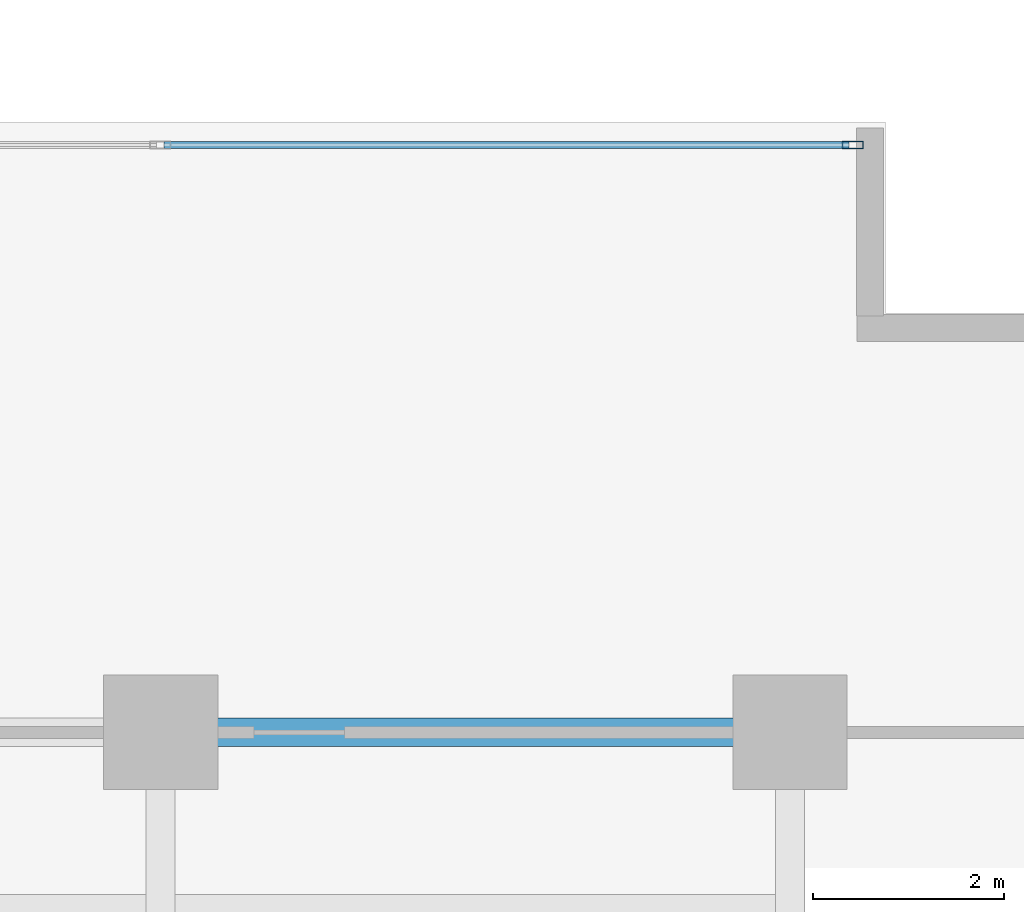
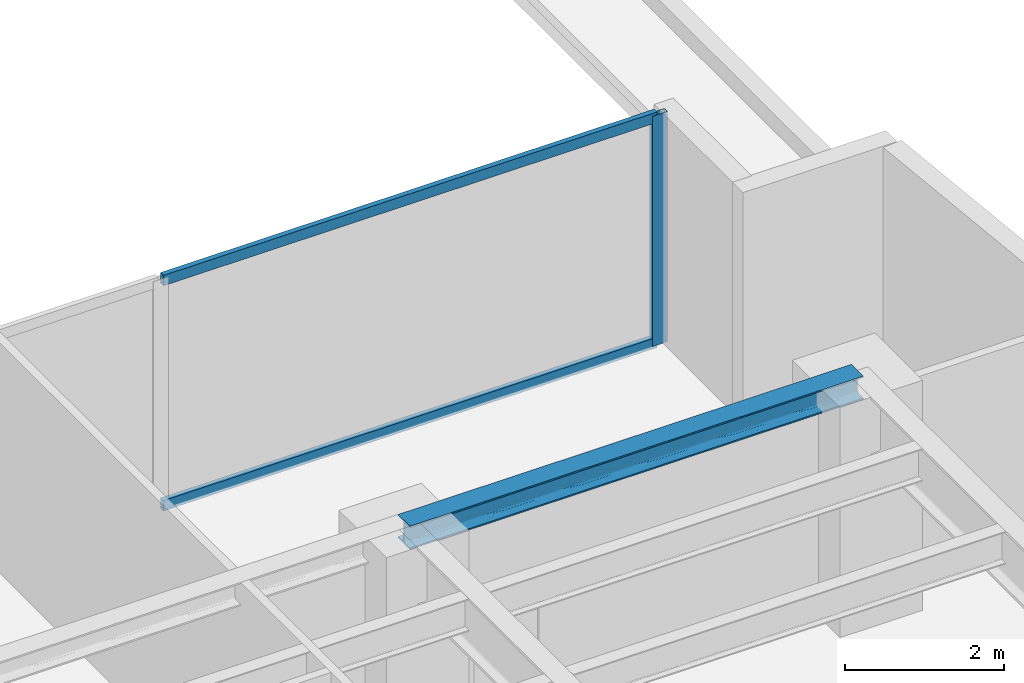
# One storey, part 14 of 29: 3 members, 1 beam, 1 element without a shape of its own.
"""IFC4 building model written with IfcOpenShell, lengths in metres."""

import ifcopenshell
import ifcopenshell.guid

model = None  # the IFC model being written
_history = None  # IfcOwnerHistory: only IFC2X3 demands one
_inside = {}  # id of a spatial element -> (the spatial element, [elements in it])
_under = {}  # id of a project, library or spatial element -> (it, [spatial elements below it])
_declared = {}  # id of a project -> (the project, [libraries it declares])
_typed = {}  # id of a type object -> (the type object, [elements of that type])
_made_of = {}  # id of a material, layer set ... -> (it, [elements and type objects made of it])


def new_model(schema):
    """Start an empty IFC model of exactly this schema.

    Asked for "IFC4X3", IfcOpenShell would pick the latest addendum, in which some entities
    have other attributes; the version numbers below select the first issue.
    IFC2X3 requires an IfcOwnerHistory on every rooted entity: one is made here for all.
    """
    global model, _history
    if schema == "IFC4X3":
        model = ifcopenshell.file(schema_version=(4, 3, 0, 0))
    else:
        model = ifcopenshell.file(schema=schema)
    _inside.clear()
    _under.clear()
    _declared.clear()
    _typed.clear()
    _made_of.clear()
    _history = None
    if model.schema == "IFC2X3":
        org = make("IfcOrganization", Name="unknown")
        user = make(
            "IfcPersonAndOrganization",
            ThePerson=make("IfcPerson", FamilyName="unknown"),
            TheOrganization=org,
        )
        app = make(
            "IfcApplication",
            ApplicationDeveloper=org,
            Version="unknown",
            ApplicationFullName="unknown",
            ApplicationIdentifier="unknown",
        )
        _history = make(
            "IfcOwnerHistory",
            OwningUser=user,
            OwningApplication=app,
            ChangeAction="ADDED",
            CreationDate=0,
        )
    return model


def make(cls, **values):
    """One entity of the class cls with the attributes given. An attribute that is None is left unset."""
    return model.create_entity(
        cls, **{name: value for name, value in values.items() if value is not None}
    )


def rooted(cls, **values):
    """An entity with a GlobalId (a new one), such as an element, a storey or a relation."""
    return make(cls, GlobalId=ifcopenshell.guid.new(), OwnerHistory=_history, **values)


def si_unit(unit_type, name, prefix=None):
    """IfcSIUnit, for example si_unit("LENGTHUNIT", "METRE", prefix="MILLI")."""
    return make("IfcSIUnit", UnitType=unit_type, Prefix=prefix, Name=name)


def assignment(units):
    """IfcUnitAssignment: the units of a project."""
    return None if units is None else make("IfcUnitAssignment", Units=units)


def point(xyz):
    """IfcCartesianPoint."""
    return None if xyz is None else make("IfcCartesianPoint", Coordinates=xyz)


def direction(xyz):
    """IfcDirection."""
    return None if xyz is None else make("IfcDirection", DirectionRatios=xyz)


def frame(location, z_axis=None, x_axis=None):
    """IfcAxis2Placement3D, a coordinate frame: its origin and axes. An axis left out is left unset."""
    return make(
        "IfcAxis2Placement3D",
        Location=point(location),
        Axis=direction(z_axis),
        RefDirection=direction(x_axis),
    )


def frame_2d(location, x_axis=None):
    """IfcAxis2Placement2D, a coordinate frame in the plane: its origin and x axis."""
    return make(
        "IfcAxis2Placement2D", Location=point(location), RefDirection=direction(x_axis)
    )


def origin():
    """The frame at (0, 0, 0) with its axes left unset."""
    return frame((0.0, 0.0, 0.0))


def origin_with_axes():
    """The frame at (0, 0, 0) with the z axis (0, 0, 1) and the x axis (1, 0, 0) written out."""
    return frame((0.0, 0.0, 0.0), z_axis=(0.0, 0.0, 1.0), x_axis=(1.0, 0.0, 0.0))


def origin_2d():
    """The frame at (0, 0) in the plane with its x axis left unset."""
    return frame_2d((0.0, 0.0))


def place(relative_to, where):
    """IfcLocalPlacement: puts the frame where relative to a parent placement (None: the world)."""
    return make(
        "IfcLocalPlacement", PlacementRelTo=relative_to, RelativePlacement=where
    )


def context(
    kind, dimensions, precision=None, world=None, true_north=None, identifier=None
):
    """IfcGeometricRepresentationContext, for example the 3D "Model" context."""
    return make(
        "IfcGeometricRepresentationContext",
        ContextIdentifier=identifier,
        ContextType=kind,
        CoordinateSpaceDimension=dimensions,
        Precision=precision,
        WorldCoordinateSystem=world,
        TrueNorth=true_north,
    )


def subcontext(parent, identifier, kind, view, scale=None):
    """IfcGeometricRepresentationSubContext, for example "Body" below "Model"."""
    return make(
        "IfcGeometricRepresentationSubContext",
        ContextIdentifier=identifier,
        ContextType=kind,
        ParentContext=parent,
        TargetScale=scale,
        TargetView=view,
    )


def project(units=None, contexts=None):
    """IfcProject with its units and contexts."""
    return rooted(
        "IfcProject",
        Name="project",
        RepresentationContexts=contexts,
        UnitsInContext=assignment(units),
    )


def spatial(cls, under=None, at=None, **own):
    """A site, building, storey or space (cls), placed at a placement, below another one or the project."""
    s = rooted(cls, ObjectPlacement=at, **own)
    if under is not None:
        _under.setdefault(under.id(), (under, []))[1].append(s)
    return s


def profile(cls, at=None, kind="AREA", **sizes):
    """A parametric profile (cls). Its sizes go by their IFC names, for example OverallWidth=200.0."""
    return make(cls, ProfileType=kind, Position=at, **sizes)


def hollow_rectangle(**sizes):
    """IfcRectangleHollowProfileDef."""
    return profile("IfcRectangleHollowProfileDef", **sizes)


def i_section(**sizes):
    """IfcIShapeProfileDef."""
    return profile("IfcIShapeProfileDef", **sizes)


def extrude(swept, where, along, depth):
    """IfcExtrudedAreaSolid: the profile swept, set in the frame where, extruded along a direction by depth."""
    return make(
        "IfcExtrudedAreaSolid",
        SweptArea=swept,
        Position=where,
        ExtrudedDirection=direction(along),
        Depth=depth,
    )


def shape(context_of_items, identifier, shape_type, items):
    """IfcShapeRepresentation: the items that make up one representation, for example the "Body"."""
    return make(
        "IfcShapeRepresentation",
        ContextOfItems=context_of_items,
        RepresentationIdentifier=identifier,
        RepresentationType=shape_type,
        Items=items,
    )


def source(mapping_origin, context_of_items, identifier, shape_type, items):
    """IfcRepresentationMap: a shape defined once, which mapped items show again and again."""
    return make(
        "IfcRepresentationMap",
        MappingOrigin=mapping_origin,
        MappedRepresentation=shape(context_of_items, identifier, shape_type, items),
    )


def transform(
    local_origin,
    x_axis=None,
    y_axis=None,
    z_axis=None,
    scale=None,
    scale2=None,
    scale3=None,
    uniform=True,
):
    """IfcCartesianTransformationOperator3D, or its non-uniform kind. x_axis, y_axis, z_axis: its Axis1, 2, 3."""
    if uniform:
        return make(
            "IfcCartesianTransformationOperator3D",
            Axis1=direction(x_axis),
            Axis2=direction(y_axis),
            LocalOrigin=point(local_origin),
            Scale=scale,
            Axis3=direction(z_axis),
        )
    return make(
        "IfcCartesianTransformationOperator3DnonUniform",
        Axis1=direction(x_axis),
        Axis2=direction(y_axis),
        LocalOrigin=point(local_origin),
        Scale=scale,
        Axis3=direction(z_axis),
        Scale2=scale2,
        Scale3=scale3,
    )


def mapped(mapping_source, mapping_target):
    """IfcMappedItem: shows the shape of a source again, moved by a transform."""
    return make(
        "IfcMappedItem", MappingSource=mapping_source, MappingTarget=mapping_target
    )


def material(Name=None, Category=None):
    """IfcMaterial."""
    return make("IfcMaterial", Name=Name, Category=Category)


def layer(
    of_material, thickness, ventilated=None, Name=None, Category=None, Priority=None
):
    """IfcMaterialLayer: one layer of a wall or slab, of a material (None: an air gap)."""
    return make(
        "IfcMaterialLayer",
        Material=of_material,
        LayerThickness=thickness,
        IsVentilated=ventilated,
        Name=Name,
        Category=Category,
        Priority=Priority,
    )


def layer_set(layers, Name=None):
    """IfcMaterialLayerSet."""
    return make("IfcMaterialLayerSet", MaterialLayers=layers, LayerSetName=Name)


def material_profile(
    of_material, cross_section, Name=None, Category=None, Priority=None
):
    """IfcMaterialProfile: a cross section and its material."""
    return make(
        "IfcMaterialProfile",
        Name=Name,
        Material=of_material,
        Profile=cross_section,
        Priority=Priority,
        Category=Category,
    )


def profile_set(profiles, Name=None, composite=None):
    """IfcMaterialProfileSet."""
    return make(
        "IfcMaterialProfileSet",
        Name=Name,
        MaterialProfiles=profiles,
        CompositeProfile=composite,
    )


def made_of(thing, what):
    """Note that an element or type object is made of a material, layer set ...; save() writes the relation."""
    if what is not None:
        _made_of.setdefault(what.id(), (what, []))[1].append(thing)
    return thing


def type_object(cls, material=None, **own):
    """A type object (cls), such as IfcWallType, which elements share."""
    return made_of(rooted(cls, **own), material)


def element(
    cls,
    number,
    at=None,
    inside=None,
    cuts=None,
    type_object=None,
    material=None,
    context=None,
    identifier="Body",
    shape_type=None,
    held_by="IfcProductDefinitionShape",
    body=None,
    shapes=None,
    **own,
):
    """One element of the class cls, such as IfcWall. Its Tag is "e" and its number.

    at: its placement. inside: the storey or other place that contains it. cuts: it is an
    opening in that element (IfcRelVoidsElement). A single representation is given by context,
    identifier, shape_type and body (its items); several are given by shapes. held_by: the class
    of the entity that holds the representations. save() writes the other relations.
    """
    e = rooted(cls, Tag="e%d" % number, ObjectPlacement=at, **own)
    if body is not None:
        shapes = [shape(context, identifier, shape_type, body)]
    if shapes is not None:
        e.Representation = make(held_by, Representations=shapes)
    if inside is not None:
        _inside.setdefault(inside.id(), (inside, []))[1].append(e)
    if cuts is not None:
        rooted(
            "IfcRelVoidsElement", RelatingBuildingElement=cuts, RelatedOpeningElement=e
        )
    if type_object is not None:
        _typed.setdefault(type_object.id(), (type_object, []))[1].append(e)
    return made_of(e, material)


def aggregate(whole, parts):
    """IfcRelAggregates: a whole, such as a stair, and the parts it consists of."""
    return rooted("IfcRelAggregates", RelatingObject=whole, RelatedObjects=parts)


def save(model, path):
    """Write the relations noted so far, then the file.

    IfcRelAggregates (storeys below a building ...), IfcRelContainedInSpatialStructure (elements
    in a storey), IfcRelDefinesByType, IfcRelAssociatesMaterial and IfcRelDeclares: one each for
    every whole, place, type object, material and project.
    """
    for whole, parts in _under.values():
        aggregate(whole, parts)
    for where, things in _inside.values():
        rooted(
            "IfcRelContainedInSpatialStructure",
            RelatedElements=things,
            RelatingStructure=where,
        )
    for kind, things in _typed.values():
        rooted("IfcRelDefinesByType", RelatedObjects=things, RelatingType=kind)
    for what, things in _made_of.values():
        rooted("IfcRelAssociatesMaterial", RelatedObjects=things, RelatingMaterial=what)
    for by, libraries in _declared.values():
        rooted("IfcRelDeclares", RelatingContext=by, RelatedDefinitions=libraries)
    model.write(path)


model = new_model("IFC4")

# Units and contexts
model_context = context("Model", 3, precision=1e-05, world=origin(), true_north=direction((0.0, 1.0)))
body_context = subcontext(model_context, "Body", "Model", "MODEL_VIEW")
ifc_project = project(units=[si_unit("LENGTHUNIT", "METRE"), si_unit("AREAUNIT", "SQUARE_METRE"), si_unit("VOLUMEUNIT", "CUBIC_METRE"), si_unit("PLANEANGLEUNIT", "RADIAN"), si_unit("MASSUNIT", "GRAM", prefix="KILO")], contexts=[model_context])

# Site, building, storey
site_placement = place(None, origin())
site = spatial("IfcSite", under=ifc_project, at=site_placement, CompositionType="ELEMENT")
building_placement = place(site_placement, origin())
building = spatial("IfcBuilding", under=site, at=building_placement, Name="Kolvaren Waterfront Exchange", CompositionType="ELEMENT")
storey_placement = place(building_placement, frame((0.0, 0.0, 29.60009765625)))
storey = spatial("IfcBuildingStorey", under=building, at=storey_placement, Name="L07", CompositionType="ELEMENT", Elevation=29.60009765625)

# Beam
ifc_material_1 = material(Name="Steel S355", Category="steel")
ifc_material_profile_1 = material_profile(ifc_material_1, i_section(OverallWidth=0.300048828125, OverallDepth=0.360107421875, WebThickness=0.012451171875, FlangeThickness=0.0224609375, FilletRadius=0.027099609375, at=origin_2d()), Name="HEB360")
ifc_profile_set_1 = profile_set([ifc_material_profile_1], Name="Steel S355")
beam_type = type_object("IfcBeamType", Name="STR-BM-HEB360", PredefinedType="SPANDREL", material=ifc_profile_set_1)
beam_placement = place(storey_placement, frame((53.800048828125, 17.39990234375, 3.35986328125), z_axis=(1.0, 0.0, 0.0), x_axis=(0.0, 1.0, 0.0)))
element("IfcBeam", 1, at=beam_placement, inside=storey, type_object=beam_type, Name="L07 east-arm spandrel N5", PredefinedType="SPANDREL", context=body_context, shape_type="SweptSolid", body=[
    extrude(i_section(OverallWidth=0.300048828125, OverallDepth=0.360107421875, WebThickness=0.012451171875, FlangeThickness=0.0224609375, FilletRadius=0.027099609375, at=origin_2d()), origin(), (0.0, 0.0, 1.0), 6.599853515625),
])

# Curtain wall, members
ifc_material_2 = material(Name="Anodised bronze aluminium 6063-T6", Category="aluminium")
ifc_layer = layer(ifc_material_2, 0.219970703125, Name="Anodised bronze aluminium 6063-T6")
ifc_layer_set = layer_set([ifc_layer], Name="Anodised bronze aluminium 6063-T6")
curtain_wall_type = type_object("IfcCurtainWallType", Name="ARC-CW-SYS1", PredefinedType="USERDEFINED", material=ifc_layer_set)
curtain_wall_placement = place(storey_placement, origin())
curtain_wall = element("IfcCurtainWall", 2, at=curtain_wall_placement, inside=storey, type_object=curtain_wall_type, Name="L07 stick curtain wall CW1 (CW-L07-EN)", ObjectType="STICK CURTAIN WALL", PredefinedType="USERDEFINED")
ifc_material_3 = material(Name="Anodised aluminium 6063-T6", Category="aluminium")
ifc_material_profile_2 = material_profile(ifc_material_3, hollow_rectangle(XDim=0.080078125, YDim=0.219970703125, WallThickness=0.0048828125, at=origin_2d()), Name="ALU-MUL-220x80x5")
ifc_profile_set_2 = profile_set([ifc_material_profile_2], Name="Anodised aluminium 6063-T6")
member_type_1 = type_object("IfcMemberType", Name="ARC-CWM-220", PredefinedType="MULLION", material=ifc_profile_set_2)
shared_shape_1 = source(origin_with_axes(), body_context, "Body", "SweptSolid", [
    extrude(hollow_rectangle(XDim=0.080078125, YDim=0.219970703125, WallThickness=0.0048828125, at=origin_2d()), origin(), (0.0, 0.0, 1.0), 3.539794921875),
])
member_1_placement = place(storey_placement, frame((61.06005859375, 23.56005859375, 0.0), z_axis=(0.0, 0.0, 1.0), x_axis=(0.0, 1.0, 0.0)))
member_1 = element("IfcMember", 3, at=member_1_placement, type_object=member_type_1, Name="CW1 mullion 5", PredefinedType="MULLION", context=body_context, shape_type="MappedRepresentation", body=[
    mapped(shared_shape_1, transform((0.0, 0.0, 0.0), x_axis=(1.0, 0.0, 0.0), y_axis=(0.0, 1.0, 0.0), z_axis=(0.0, 0.0, 1.0), scale=1.0)),
])
ifc_material_profile_3 = material_profile(ifc_material_3, hollow_rectangle(XDim=0.074951171875, YDim=0.159912109375, WallThickness=0.00439453125, at=origin_2d()), Name="ALU-TRN-160x75x4.5")
ifc_profile_set_3 = profile_set([ifc_material_profile_3], Name="Anodised aluminium 6063-T6")
member_type_2 = type_object("IfcMemberType", Name="ARC-CWT-160", PredefinedType="USERDEFINED", material=ifc_profile_set_3)
shared_shape_2 = source(origin_with_axes(), body_context, "Body", "SweptSolid", [
    extrude(hollow_rectangle(XDim=0.074951171875, YDim=0.159912109375, WallThickness=0.00439453125, at=origin_2d()), origin(), (0.0, 0.0, 1.0), 7.1826171875),
])
member_2_placement = place(storey_placement, frame((53.83740234375, 23.56005859375, 0.037353515625), z_axis=(1.0, 0.0, 0.0), x_axis=(0.0, 1.0, 0.0)))
member_2 = element("IfcMember", 4, at=member_2_placement, type_object=member_type_2, Name="CW1 transom 4.1", ObjectType="TRANSOM", PredefinedType="USERDEFINED", context=body_context, shape_type="MappedRepresentation", body=[
    mapped(shared_shape_2, transform((0.0, 0.0, 0.0), x_axis=(1.0, 0.0, 0.0), y_axis=(0.0, 1.0, 0.0), z_axis=(0.0, 0.0, 1.0), scale=1.0)),
])
member_3_placement = place(storey_placement, frame((53.83740234375, 23.56005859375, 3.50244140625), z_axis=(1.0, 0.0, 0.0), x_axis=(0.0, 1.0, 0.0)))
member_3 = element("IfcMember", 5, at=member_3_placement, type_object=member_type_2, Name="CW1 transom 4.2", ObjectType="TRANSOM", PredefinedType="USERDEFINED", context=body_context, shape_type="MappedRepresentation", body=[
    mapped(shared_shape_2, transform((0.0, 0.0, 0.0), x_axis=(1.0, 0.0, 0.0), y_axis=(0.0, 1.0, 0.0), z_axis=(0.0, 0.0, 1.0), scale=1.0)),
])
aggregate(curtain_wall, [member_1, member_2, member_3])

save(model, "model.ifc")
